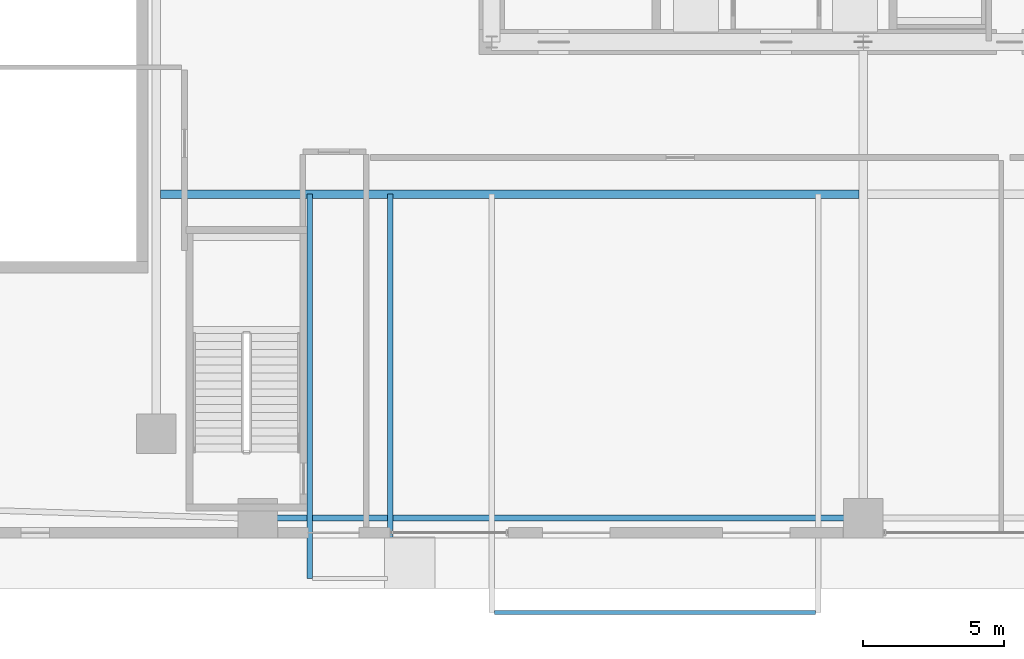
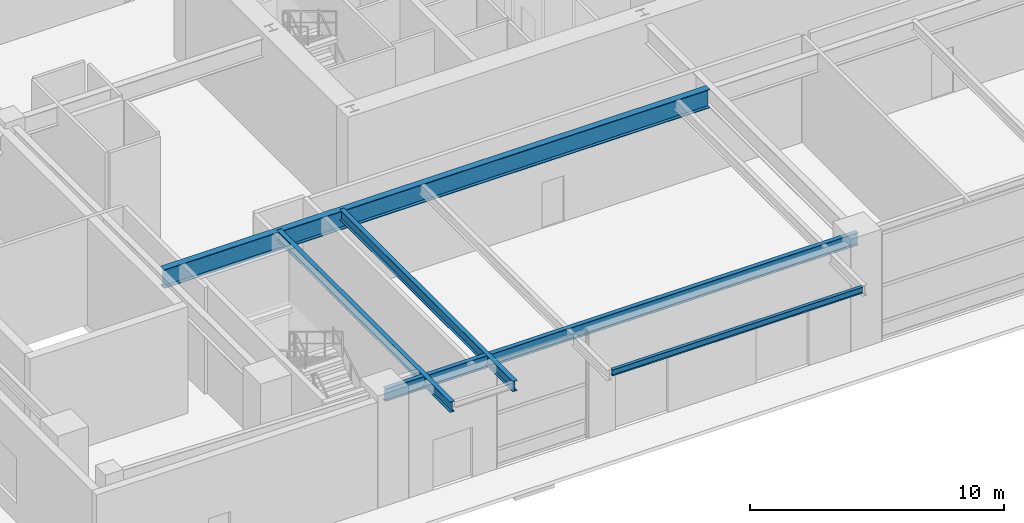
# One storey, part 5 of 32: 5 beams.
"""IFC4 building model written with IfcOpenShell, lengths in metres."""

from ifc_helpers import new_model, si_unit, direction, frame, origin, origin_2d, place, context, subcontext, project, spatial, i_section, extrude, source, transform, mapped, material, material_profile, profile_set, type_object, element, save


model = new_model("IFC4")

# Units and contexts
model_context = context("Model", 3, precision=1e-05, world=origin(), true_north=direction((0.0, 1.0)))
body_context = subcontext(model_context, "Body", "Model", "MODEL_VIEW")
ifc_project = project(units=[si_unit("LENGTHUNIT", "METRE"), si_unit("AREAUNIT", "SQUARE_METRE"), si_unit("VOLUMEUNIT", "CUBIC_METRE"), si_unit("PLANEANGLEUNIT", "RADIAN"), si_unit("MASSUNIT", "GRAM", prefix="KILO"), si_unit("THERMODYNAMICTEMPERATUREUNIT", "KELVIN"), si_unit("POWERUNIT", "WATT")], contexts=[model_context])

# Site, building, storey
site_placement = place(None, origin())
site = spatial("IfcSite", under=ifc_project, at=site_placement, CompositionType="ELEMENT")
building_placement = place(site_placement, origin())
building = spatial("IfcBuilding", under=site, at=building_placement, Name="Yuzanri Waterfront Tower", CompositionType="ELEMENT")
storey_placement = place(building_placement, origin())
storey = spatial("IfcBuildingStorey", under=building, at=storey_placement, Name="L01", CompositionType="ELEMENT", Elevation=0.0)

# Beams
ifc_material_1 = material(Name="Steel Q355B", Category="steel")
ifc_material_profile_1 = material_profile(ifc_material_1, i_section(OverallWidth=0.199951171875, OverallDepth=0.60009765625, WebThickness=0.010986328125, FlangeThickness=0.01708984375, at=origin_2d()), Name="HN 600x200x11x17")
ifc_profile_set_1 = profile_set([ifc_material_profile_1], Name="Steel Q355B")
beam_type_1 = type_object("IfcBeamType", Name="Perimeter Spandrel Q355B HN 600x200", PredefinedType="SPANDREL", material=ifc_profile_set_1)
shared_shape_1 = source(origin(), body_context, "Body", "SweptSolid", [
    extrude(i_section(OverallWidth=0.199951171875, OverallDepth=0.60009765625, WebThickness=0.010986328125, FlangeThickness=0.01708984375, at=origin_2d()), origin(), (0.0, 0.0, 1.0), 21.5),
])
beam_1_placement = place(storey_placement, frame((15.5, 2.5, 4.820068359375), z_axis=(1.0, 0.0, 0.0), x_axis=(0.0, 1.0, 0.0)))
element("IfcBeam", 1, at=beam_1_placement, inside=storey, type_object=beam_type_1, Name="L01 South Spandrel 1", PredefinedType="SPANDREL", context=body_context, shape_type="MappedRepresentation", body=[
    mapped(shared_shape_1, transform((0.0, 0.0, 0.0), scale=1.0)),
])
ifc_material_2 = material(Name="Steel Q355B", Category="steel")
ifc_material_profile_2 = material_profile(ifc_material_2, i_section(OverallWidth=0.300048828125, OverallDepth=0.89990234375, WebThickness=0.01611328125, FlangeThickness=0.028076171875, at=origin_2d()), Name="HN 900x300x16x28")
ifc_profile_set_2 = profile_set([ifc_material_profile_2], Name="Steel Q355B")
beam_type_2 = type_object("IfcBeamType", Name="Primary Podium Girder Q355B HN 900x300", PredefinedType="BEAM", material=ifc_profile_set_2)
shared_shape_2 = source(origin(), body_context, "Body", "SweptSolid", [
    extrude(i_section(OverallWidth=0.300048828125, OverallDepth=0.89990234375, WebThickness=0.01611328125, FlangeThickness=0.028076171875, at=origin_2d()), origin(), (0.0, 0.0, 1.0), 24.800048828125),
])
beam_2_placement = place(storey_placement, frame((12.050048828125, 14.0, 4.669921875), z_axis=(1.0, 0.0, 0.0), x_axis=(0.0, 1.0, 0.0)))
element("IfcBeam", 2, at=beam_2_placement, inside=storey, type_object=beam_type_2, Name="L01 Canopy Interior Tie Girder SW", PredefinedType="BEAM", context=body_context, shape_type="MappedRepresentation", body=[
    mapped(shared_shape_2, transform((0.0, 0.0, 0.0), scale=1.0)),
])
ifc_material_3 = material(Name="Steel Q355B", Category="steel")
ifc_material_profile_3 = material_profile(ifc_material_3, i_section(OverallWidth=0.14990234375, OverallDepth=0.300048828125, WebThickness=0.006591796875, FlangeThickness=0.009033203125, at=origin_2d()), Name="HN 300x150x6.5x9")
ifc_profile_set_3 = profile_set([ifc_material_profile_3], Name="Steel Q355B")
beam_type_3 = type_object("IfcBeamType", Name="Balcony Outlooker Joist Q355B HN 300x150", PredefinedType="JOIST", material=ifc_profile_set_3)
shared_shape_3 = source(origin(), body_context, "Body", "SweptSolid", [
    extrude(i_section(OverallWidth=0.14990234375, OverallDepth=0.300048828125, WebThickness=0.006591796875, FlangeThickness=0.009033203125, at=origin_2d()), origin(), (0.0, 0.0, 1.0), 11.400146484375),
])
beam_3_placement = place(storey_placement, frame((23.89990234375, -0.85009765625, 4.969970703125), z_axis=(1.0, 0.0, 0.0), x_axis=(0.0, 1.0, 0.0)))
element("IfcBeam", 3, at=beam_3_placement, inside=storey, type_object=beam_type_3, Name="L01 Canopy S1 Outer Edge Beam", PredefinedType="JOIST", context=body_context, shape_type="MappedRepresentation", body=[
    mapped(shared_shape_3, transform((0.0, 0.0, 0.0), scale=1.0)),
])
ifc_material_4 = material(Name="Steel Q355B", Category="steel")
ifc_material_profile_4 = material_profile(ifc_material_4, i_section(OverallWidth=0.199951171875, OverallDepth=0.5, WebThickness=0.010009765625, FlangeThickness=0.01611328125, at=origin_2d()), Name="HN 500x200x10x16")
ifc_profile_set_4 = profile_set([ifc_material_profile_4], Name="Steel Q355B")
beam_type_4 = type_object("IfcBeamType", Name="Secondary Floor Beam Q355B HN 500x200", PredefinedType="BEAM", material=ifc_profile_set_4)
shared_shape_4 = source(origin(), body_context, "Body", "SweptSolid", [
    extrude(i_section(OverallWidth=0.199951171875, OverallDepth=0.5, WebThickness=0.010009765625, FlangeThickness=0.01611328125, at=origin_2d()), origin(), (0.0, 0.0, 1.0), 13.64990234375),
])
for number, where, z_axis, x_axis, name in (
    (4, (17.35009765625, 14.0, 4.8701171875), (0.0, -1.0, 0.0), (1.0, 0.0, 0.0), "L01 Canopy S3 Left Outlooker"),
    (5, (20.199951171875, 14.0, 4.8701171875), (0.0, -1.0, 0.0), (1.0, 0.0, 0.0), "L01 Canopy S3 Right Outlooker"),
):
    element("IfcBeam", number, at=place(storey_placement, frame(where, z_axis=z_axis, x_axis=x_axis)), inside=storey, type_object=beam_type_4, Name=name, PredefinedType="BEAM", context=body_context, shape_type="MappedRepresentation", body=[
        mapped(shared_shape_4, transform((0.0, 0.0, 0.0), scale=1.0)),
    ])

save(model, "model.ifc")
